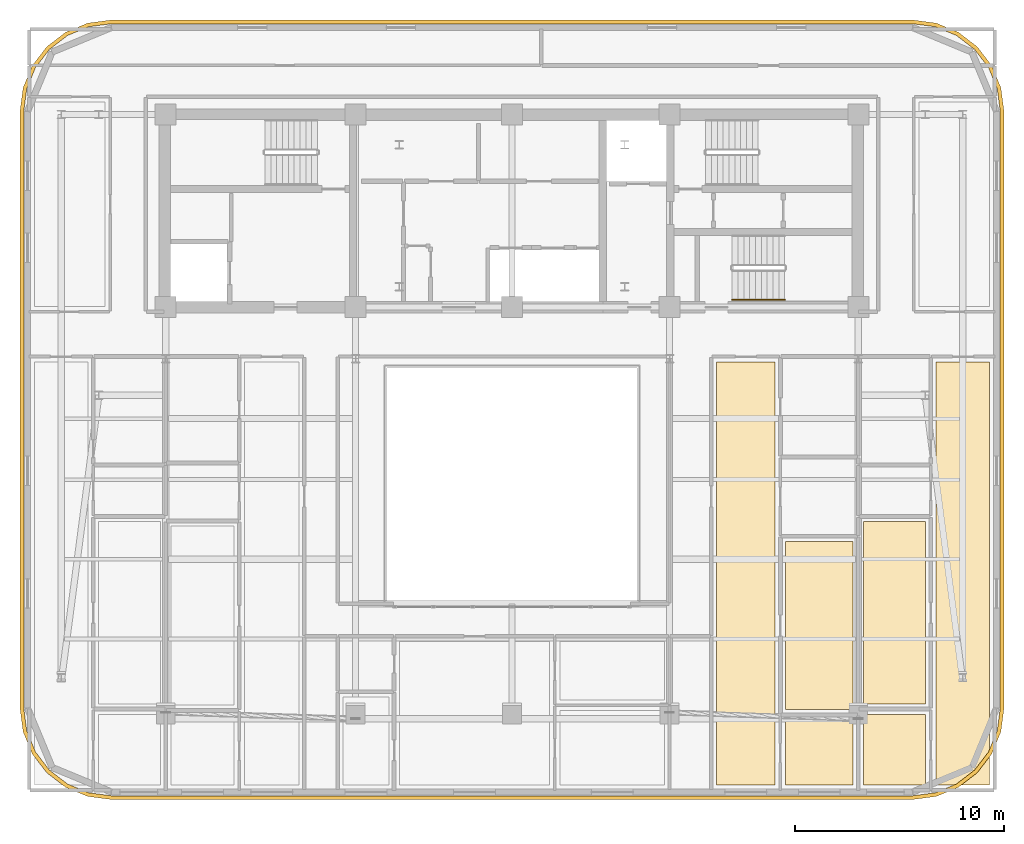
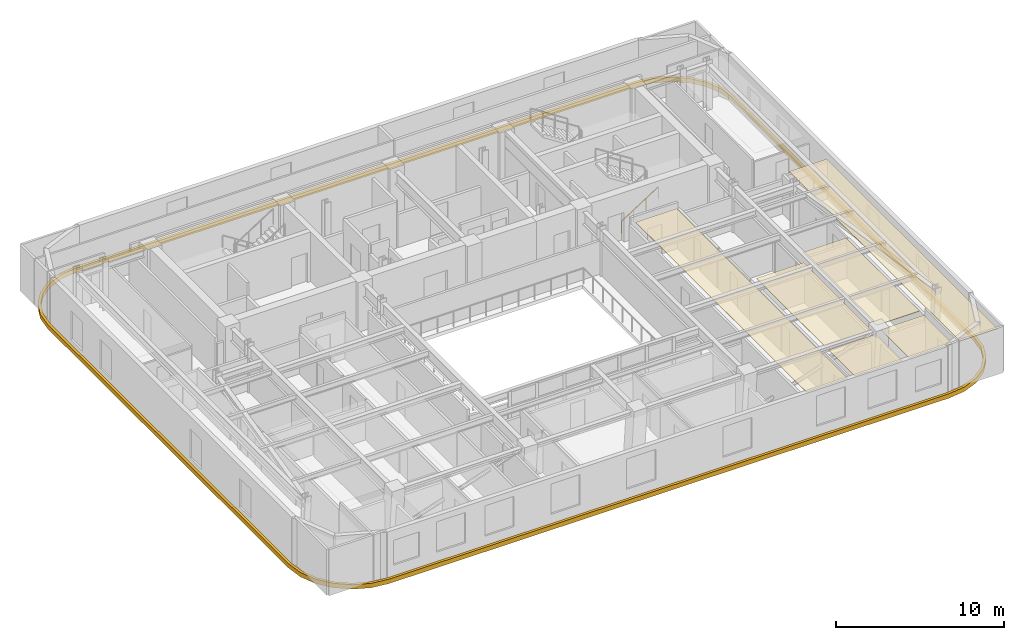
# One storey, part 14 of 15: 7 coverings, 1 railing.
"""IFC4 building model written with IfcOpenShell, lengths in metres."""

from ifc_helpers import new_model, si_unit, direction, frame, origin, origin_2d, place, context, subcontext, project, spatial, polyline, rectangle, outline, extrude, material, layer, layer_set, type_object, element, save


model = new_model("IFC4")

# Units and contexts
model_context = context("Model", 3, precision=1e-05, world=origin(), true_north=direction((0.0, 1.0)))
body_context = subcontext(model_context, "Body", "Model", "MODEL_VIEW")
ifc_project = project(units=[si_unit("LENGTHUNIT", "METRE"), si_unit("AREAUNIT", "SQUARE_METRE"), si_unit("VOLUMEUNIT", "CUBIC_METRE"), si_unit("PLANEANGLEUNIT", "RADIAN"), si_unit("MASSUNIT", "GRAM", prefix="KILO")], contexts=[model_context])

# Site, building, storey
site_placement = place(None, origin())
site = spatial("IfcSite", under=ifc_project, at=site_placement, CompositionType="ELEMENT")
building_placement = place(site_placement, origin())
building = spatial("IfcBuilding", under=site, at=building_placement, Name="Zarnavel Station Tower", CompositionType="ELEMENT")
storey_placement = place(building_placement, frame((0.0, 0.0, 196.800048828125)))
storey = spatial("IfcBuildingStorey", under=building, at=storey_placement, Name="L53", CompositionType="ELEMENT", Elevation=196.800048828125)

# Coverings
ifc_material_1 = material(Name="Perforated Gypsum and Mineral-Wool Acoustic Ceiling", Category="concrete")
ifc_layer = layer(ifc_material_1, 0.0400390625)
ifc_layer_set = layer_set([ifc_layer], Name="COV_CEIL_ACOUSTIC")
covering_type_1 = type_object("IfcCoveringType", Name="COV_CEIL_ACOUSTIC", PredefinedType="CEILING", material=ifc_layer_set)
covering_1_placement = place(storey_placement, frame((0.0, 0.0, 3.02001953125)))
element("IfcCovering", 1, at=covering_1_placement, inside=storey, type_object=covering_type_1, Name="L53 UE1LV Acoustic Ceiling", PredefinedType="CEILING", context=body_context, shape_type="SweptSolid", body=[
    extrude(outline(polyline([(38.60009765625, 4.909912109375), (41.4130859375, 4.909912109375), (41.4130859375, 25.199951171875), (38.60009765625, 25.199951171875), (38.60009765625, 4.909912109375)])), origin(), (0.0, 0.0, 1.0), 0.0400390625),
])
covering_2_placement = place(storey_placement, frame((0.0, 0.0, 3.02001953125)))
element("IfcCovering", 2, at=covering_2_placement, inside=storey, type_object=covering_type_1, Name="L53 UE1B1 Acoustic Ceiling", PredefinedType="CEILING", context=body_context, shape_type="SweptSolid", body=[
    extrude(outline(polyline([(41.9130859375, 4.909912109375), (45.14990234375, 4.909912109375), (45.14990234375, 8.02294921875), (41.9130859375, 8.02294921875), (41.9130859375, 4.909912109375)])), origin(), (0.0, 0.0, 1.0), 0.0400390625),
])
covering_3_placement = place(storey_placement, frame((0.0, 0.0, 3.02001953125)))
element("IfcCovering", 3, at=covering_3_placement, inside=storey, type_object=covering_type_1, Name="L53 UE1KT Acoustic Ceiling", PredefinedType="CEILING", context=body_context, shape_type="SweptSolid", body=[
    extrude(outline(polyline([(41.9130859375, 8.52294921875), (45.14990234375, 8.52294921875), (45.14990234375, 16.5859375), (41.9130859375, 16.5859375), (41.9130859375, 8.52294921875)])), origin(), (0.0, 0.0, 1.0), 0.0400390625),
])
covering_4_placement = place(storey_placement, frame((0.0, 0.0, 3.02001953125)))
element("IfcCovering", 4, at=covering_4_placement, inside=storey, type_object=covering_type_1, Name="L53 UE2LV Acoustic Ceiling", PredefinedType="CEILING", context=body_context, shape_type="SweptSolid", body=[
    extrude(outline(polyline([(49.115966796875, 4.909912109375), (51.68994140625, 4.909912109375), (51.68994140625, 25.199951171875), (49.115966796875, 25.199951171875), (49.115966796875, 4.909912109375)])), origin(), (0.0, 0.0, 1.0), 0.0400390625),
])
covering_5_placement = place(storey_placement, frame((0.0, 0.0, 3.02001953125)))
element("IfcCovering", 5, at=covering_5_placement, inside=storey, type_object=covering_type_1, Name="L53 UE2B1 Acoustic Ceiling", PredefinedType="CEILING", context=body_context, shape_type="SweptSolid", body=[
    extrude(outline(polyline([(45.64990234375, 4.909912109375), (48.615966796875, 4.909912109375), (48.615966796875, 8.304931640625), (45.64990234375, 8.304931640625), (45.64990234375, 4.909912109375)])), origin(), (0.0, 0.0, 1.0), 0.0400390625),
])
covering_6_placement = place(storey_placement, frame((0.0, 0.0, 3.02001953125)))
element("IfcCovering", 6, at=covering_6_placement, inside=storey, type_object=covering_type_1, Name="L53 UE2KT Acoustic Ceiling", PredefinedType="CEILING", context=body_context, shape_type="SweptSolid", body=[
    extrude(outline(polyline([(45.64990234375, 8.804931640625), (48.615966796875, 8.804931640625), (48.615966796875, 17.5380859375), (45.64990234375, 17.5380859375), (45.64990234375, 8.804931640625)])), origin(), (0.0, 0.0, 1.0), 0.0400390625),
])
ifc_material_2 = material(Name="Precast concrete C45/55 (Pale Travertine Slab Band)", Category="masonry")
covering_type_2 = type_object("IfcCoveringType", Name="COV_TRAVERTINE_BAND", PredefinedType="CLADDING", material=ifc_material_2)
covering_7_placement = place(storey_placement, frame((0.0, 0.0, -0.260009765625)))
element("IfcCovering", 7, at=covering_7_placement, inside=storey, type_object=covering_type_2, Name="L53 Pale Travertine Slab-Edge Band", PredefinedType="CLADDING", context=body_context, shape_type="SweptSolid", body=[
    extrude(outline(polyline([(48.0, 4.219970703125), (49.133544921875, 4.369140625), (50.18994140625, 4.806884765625), (51.09716796875, 5.5029296875), (51.793212890625, 6.409912109375), (52.230712890625, 7.46630859375), (52.3798828125, 8.60009765625), (52.3798828125, 37.199951171875), (52.230712890625, 38.33349609375), (51.793212890625, 39.389892578125), (51.09716796875, 40.297119140625), (50.18994140625, 40.9931640625), (49.133544921875, 41.430908203125), (48.0, 41.580078125), (9.60009765625, 41.580078125), (8.46630859375, 41.430908203125), (7.409912109375, 40.9931640625), (6.5029296875, 40.297119140625), (5.806884765625, 39.389892578125), (5.369140625, 38.33349609375), (5.219970703125, 37.199951171875), (5.219970703125, 8.60009765625), (5.369140625, 7.46630859375), (5.806884765625, 6.409912109375), (6.5029296875, 5.5029296875), (7.409912109375, 4.806884765625), (8.46630859375, 4.369140625), (9.60009765625, 4.219970703125), (48.0, 4.219970703125)]), holes=[polyline([(48.0, 4.39990234375), (49.0869140625, 4.543212890625), (50.10009765625, 4.962646484375), (50.9697265625, 5.630126953125), (51.63720703125, 6.5), (52.056884765625, 7.512939453125), (52.199951171875, 8.60009765625), (52.199951171875, 37.199951171875), (52.056884765625, 38.287109375), (51.63720703125, 39.300048828125), (50.9697265625, 40.169921875), (50.10009765625, 40.83740234375), (49.0869140625, 41.2568359375), (48.0, 41.39990234375), (9.60009765625, 41.39990234375), (8.512939453125, 41.2568359375), (7.5, 40.83740234375), (6.630126953125, 40.169921875), (5.962646484375, 39.300048828125), (5.543212890625, 38.287109375), (5.39990234375, 37.199951171875), (5.39990234375, 8.60009765625), (5.543212890625, 7.512939453125), (5.962646484375, 6.5), (6.630126953125, 5.630126953125), (7.5, 4.962646484375), (8.512939453125, 4.543212890625), (9.60009765625, 4.39990234375), (48.0, 4.39990234375)])]), origin(), (0.0, 0.0, 1.0), 0.320068359375),
])

# Railing
ifc_material_3 = material(Name="Brushed Stainless Steel S355J2 Handrail", Category="steel")
railing_type = type_object("IfcRailingType", Name="HR_STAIR_900", PredefinedType="HANDRAIL", material=ifc_material_3)
railing_placement = place(storey_placement, frame((39.35009765625, 28.169921875, 0.179931640625)))
element("IfcRailing", 8, at=railing_placement, inside=storey, type_object=railing_type, Name="L53 ST3 stair handrail 1", PredefinedType="HANDRAIL", context=body_context, shape_type="SweptSolid", body=[
    extrude(rectangle(XDim=0.048095703125, YDim=0.048095703125, at=origin_2d()), frame((0.001708984375, 0.0, 0.876953125), z_axis=(0.841162588446, 0.0, 0.540782303519), x_axis=(0.0, 1.0, 0.0)), (0.0, 0.0, 1.0), 2.991943359375),
    extrude(rectangle(XDim=0.0419921875, YDim=0.0419921875, at=origin_2d()), origin(), (0.0, 0.0, 1.0), 0.851806640625),
    extrude(rectangle(XDim=0.0419921875, YDim=0.0419921875, at=origin_2d()), frame((0.840087890625, 0.0, 0.5400390625)), (0.0, 0.0, 1.0), 0.851806640625),
    extrude(rectangle(XDim=0.0419921875, YDim=0.0419921875, at=origin_2d()), frame((1.679931640625, 0.0, 1.080078125)), (0.0, 0.0, 1.0), 0.851806640625),
    extrude(rectangle(XDim=0.0419921875, YDim=0.0419921875, at=origin_2d()), frame((2.52001953125, 0.0, 1.6201171875)), (0.0, 0.0, 1.0), 0.851806640625),
])

save(model, "model.ifc")
